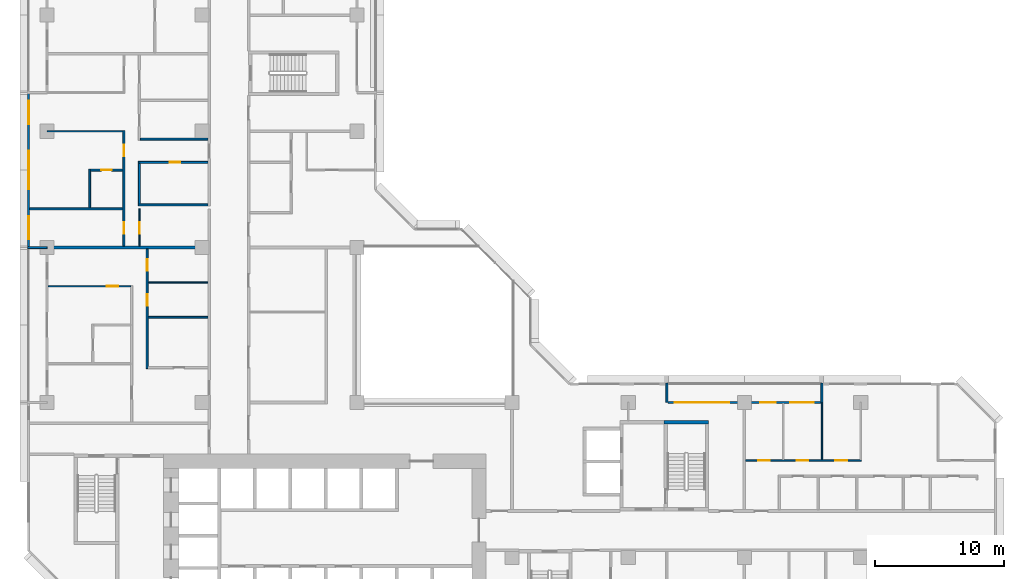
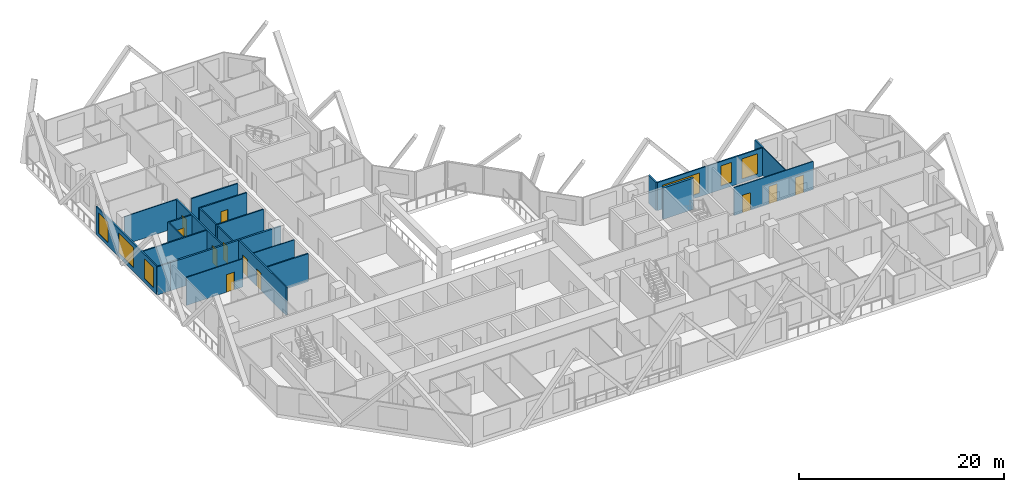
# One storey, part 8 of 15: 23 walls, 11 doors, 6 windows, 17 openings.
"""IFC4 building model written with IfcOpenShell, lengths in metres."""

from ifc_helpers import new_model, si_unit, direction, frame, frame_2d, origin, place, context, subcontext, project, spatial, rectangle, extrude, material, layer, layer_set, type_object, element, fill, save


model = new_model("IFC4")

# Units and contexts
model_context = context("Model", 3, precision=1e-05, world=origin(), true_north=direction((0.0, 1.0)))
body_context = subcontext(model_context, "Body", "Model", "MODEL_VIEW")
ifc_project = project(units=[si_unit("LENGTHUNIT", "METRE"), si_unit("AREAUNIT", "SQUARE_METRE"), si_unit("VOLUMEUNIT", "CUBIC_METRE"), si_unit("PLANEANGLEUNIT", "RADIAN"), si_unit("MASSUNIT", "GRAM", prefix="KILO")], contexts=[model_context])

# Site, building, storey
site_placement = place(None, origin())
site = spatial("IfcSite", under=ifc_project, at=site_placement, CompositionType="ELEMENT")
building_placement = place(site_placement, origin())
building = spatial("IfcBuilding", under=site, at=building_placement, Name="Chenar Terraces", CompositionType="ELEMENT")
storey_placement = place(building_placement, frame((0.0, 0.0, 48.89990234375)))
storey = spatial("IfcBuildingStorey", under=building, at=storey_placement, Name="L09", CompositionType="ELEMENT", Elevation=48.89990234375)

# Wall
ifc_material_1 = material(Name="Concrete C70/85", Category="concrete")
ifc_layer_1 = layer(ifc_material_1, 0.25)
ifc_layer_set_1 = layer_set([ifc_layer_1], Name="Concrete C70/85")
wall_type_1 = type_object("IfcWallType", Name="Core wall 250 Concrete C70/85", PredefinedType="SHEAR", material=ifc_layer_set_1)
wall_1_placement = place(storey_placement, frame((47.77490234375, 22.47509765625, 0.0), z_axis=(0.0, 0.0, 1.0), x_axis=(1.0, 0.0, 0.0)))
element("IfcWall", 1, at=wall_1_placement, inside=storey, type_object=wall_type_1, Name="Core wall ST3_N L09", PredefinedType="SHEAR", context=body_context, shape_type="SweptSolid", body=[
    extrude(rectangle(XDim=3.4501953125, YDim=0.25, at=frame_2d((1.72509765625, 0.0))), origin(), (0.0, 0.0, 1.0), 3.75),
])

# Wall, openings, windows
ifc_material_2 = material(Name="Aluminium framed glazing", Category="aluminium")
ifc_layer_2 = layer(ifc_material_2, 0.14990234375)
ifc_layer_set_2 = layer_set([ifc_layer_2], Name="Aluminium framed glazing")
wall_type_2 = type_object("IfcWallType", Name="Glazed flush facade wall 150", PredefinedType="SOLIDWALL", material=ifc_layer_set_2)
wall_2_placement = place(storey_placement, frame((-1.425048828125, 47.925048828125, 0.0), z_axis=(0.0, 0.0, 1.0), x_axis=(0.0, -1.0, 0.0)))
wall_2 = element("IfcWall", 2, at=wall_2_placement, inside=storey, type_object=wall_type_2, Name="Glazed flush facade wall", PredefinedType="SOLIDWALL", context=body_context, shape_type="SweptSolid", body=[
    extrude(rectangle(XDim=11.85009765625, YDim=0.14990234375, at=frame_2d((5.925048828125, 0.0))), origin(), (0.0, 0.0, 1.0), 3.35009765625),
])
opening_1_placement = place(wall_2_placement, frame((0.5625, 0.0, 0.449951171875)))
opening_1 = element("IfcOpeningElement", 3, at=opening_1_placement, cuts=wall_2, Name="Opening W180x240", PredefinedType="OPENING", context=body_context, shape_type="SweptSolid", body=[
    extrude(rectangle(XDim=1.800048828125, YDim=2.39990234375, at=frame_2d((0.89990234375, 1.199951171875))), frame((0.0, 0.0849609375, 0.0), z_axis=(0.0, -1.0, 0.0), x_axis=(1.0, 0.0, 0.0)), (0.0, 0.0, 1.0), 0.169921875),
])
opening_2_placement = place(wall_2_placement, frame((4.425048828125, 0.0, 0.449951171875)))
opening_2 = element("IfcOpeningElement", 4, at=opening_2_placement, cuts=wall_2, Name="Opening W300x240", PredefinedType="OPENING", context=body_context, shape_type="SweptSolid", body=[
    extrude(rectangle(XDim=3.0, YDim=2.39990234375, at=frame_2d((1.5, 1.199951171875))), frame((0.0, 0.0849609375, 0.0), z_axis=(0.0, -1.0, 0.0), x_axis=(1.0, 0.0, 0.0)), (0.0, 0.0, 1.0), 0.169921875),
])
opening_3_placement = place(wall_2_placement, frame((9.487548828125, 0.0, 0.449951171875)))
opening_3 = element("IfcOpeningElement", 5, at=opening_3_placement, cuts=wall_2, Name="Opening W180x240", PredefinedType="OPENING", context=body_context, shape_type="SweptSolid", body=[
    extrude(rectangle(XDim=1.800048828125, YDim=2.39990234375, at=frame_2d((0.89990234375, 1.199951171875))), frame((0.0, 0.0849609375, 0.0), z_axis=(0.0, -1.0, 0.0), x_axis=(1.0, 0.0, 0.0)), (0.0, 0.0, 1.0), 0.169921875),
])
ifc_material_3 = material(Name="Low emissivity double glazing, aluminium frame", Category="aluminium")
window_type_1 = type_object("IfcWindowType", Name="Fixed light 1800 x 2400", PartitioningType="SINGLE_PANEL", PredefinedType="WINDOW", material=ifc_material_3)
window_1_placement = place(opening_1_placement, origin())
window_1 = element("IfcWindow", 6, at=window_1_placement, inside=storey, type_object=window_type_1, Name="Window", OverallHeight=2.39990234375, OverallWidth=1.800048828125, PartitioningType="SINGLE_PANEL", PredefinedType="WINDOW", context=body_context, shape_type="SweptSolid", body=[
    extrude(rectangle(XDim=1.800048828125, YDim=2.39990234375, at=frame_2d((0.89990234375, 1.199951171875))), frame((0.0, 0.030029296875, 0.0), z_axis=(0.0, -1.0, 0.0), x_axis=(1.0, 0.0, 0.0)), (0.0, 0.0, 1.0), 0.06005859375),
])
fill(opening_1, window_1)
window_2_placement = place(opening_3_placement, origin())
window_2 = element("IfcWindow", 7, at=window_2_placement, inside=storey, type_object=window_type_1, Name="Window", OverallHeight=2.39990234375, OverallWidth=1.800048828125, PartitioningType="SINGLE_PANEL", PredefinedType="WINDOW", context=body_context, shape_type="SweptSolid", body=[
    extrude(rectangle(XDim=1.800048828125, YDim=2.39990234375, at=frame_2d((0.89990234375, 1.199951171875))), frame((0.0, 0.030029296875, 0.0), z_axis=(0.0, -1.0, 0.0), x_axis=(1.0, 0.0, 0.0)), (0.0, 0.0, 1.0), 0.06005859375),
])
fill(opening_3, window_2)
ifc_material_4 = material(Name="Low emissivity double glazing, aluminium frame", Category="aluminium")
window_type_2 = type_object("IfcWindowType", Name="Fixed light 3000 x 2400", PartitioningType="SINGLE_PANEL", PredefinedType="WINDOW", material=ifc_material_4)
window_3_placement = place(opening_2_placement, origin())
window_3 = element("IfcWindow", 8, at=window_3_placement, inside=storey, type_object=window_type_2, Name="Window", OverallHeight=2.39990234375, OverallWidth=3.0, PartitioningType="SINGLE_PANEL", PredefinedType="WINDOW", context=body_context, shape_type="SweptSolid", body=[
    extrude(rectangle(XDim=3.0, YDim=2.39990234375, at=frame_2d((1.5, 1.199951171875))), frame((0.0, 0.030029296875, 0.0), z_axis=(0.0, -1.0, 0.0), x_axis=(1.0, 0.0, 0.0)), (0.0, 0.0, 1.0), 0.06005859375),
])
fill(opening_2, window_3)

ifc_material_5 = material(Name="Aluminium framed glazing", Category="aluminium")
ifc_layer_3 = layer(ifc_material_5, 0.14990234375)
ifc_layer_set_3 = layer_set([ifc_layer_3], Name="Aluminium framed glazing")
wall_type_3 = type_object("IfcWallType", Name="Glazed loggia back wall 150", PredefinedType="SOLIDWALL", material=ifc_layer_set_3)
wall_3_placement = place(storey_placement, frame((59.925048828125, 24.0, 0.0), z_axis=(0.0, 0.0, 1.0), x_axis=(-1.0, 0.0, 0.0)))
wall_3 = element("IfcWall", 9, at=wall_3_placement, inside=storey, type_object=wall_type_3, Name="Glazed loggia back wall", PredefinedType="SOLIDWALL", context=body_context, shape_type="SweptSolid", body=[
    extrude(rectangle(XDim=11.85009765625, YDim=0.14990234375, at=frame_2d((5.925048828125, 0.0))), origin(), (0.0, 0.0, 1.0), 3.35009765625),
])
opening_4_placement = place(wall_3_placement, frame((0.5625, 0.0, 0.449951171875)))
opening_4 = element("IfcOpeningElement", 10, at=opening_4_placement, cuts=wall_3, Name="Opening W180x240", PredefinedType="OPENING", context=body_context, shape_type="SweptSolid", body=[
    extrude(rectangle(XDim=1.800048828125, YDim=2.39990234375, at=frame_2d((0.89990234375, 1.199951171875))), frame((0.0, 0.0849609375, 0.0), z_axis=(0.0, -1.0, 0.0), x_axis=(1.0, 0.0, 0.0)), (0.0, 0.0, 1.0), 0.169921875),
])
opening_5_placement = place(wall_3_placement, frame((3.5, 0.0, 0.449951171875)))
opening_5 = element("IfcOpeningElement", 11, at=opening_5_placement, cuts=wall_3, Name="Opening W120x240", PredefinedType="OPENING", context=body_context, shape_type="SweptSolid", body=[
    extrude(rectangle(XDim=1.199951171875, YDim=2.39990234375, at=frame_2d((0.60009765625, 1.199951171875))), frame((0.0, 0.0849609375, 0.0), z_axis=(0.0, -1.0, 0.0), x_axis=(1.0, 0.0, 0.0)), (0.0, 0.0, 1.0), 0.169921875),
])
opening_6_placement = place(wall_3_placement, frame((7.112548828125, 0.0, 0.449951171875)))
opening_6 = element("IfcOpeningElement", 12, at=opening_6_placement, cuts=wall_3, Name="Opening W420x240", PredefinedType="OPENING", context=body_context, shape_type="SweptSolid", body=[
    extrude(rectangle(XDim=4.199951171875, YDim=2.39990234375, at=frame_2d((2.10009765625, 1.199951171875))), frame((0.0, 0.0849609375, 0.0), z_axis=(0.0, -1.0, 0.0), x_axis=(1.0, 0.0, 0.0)), (0.0, 0.0, 1.0), 0.169921875),
])
ifc_material_6 = material(Name="Low emissivity double glazing, aluminium frame", Category="aluminium")
window_type_3 = type_object("IfcWindowType", Name="Fixed light 1200 x 2400", PartitioningType="SINGLE_PANEL", PredefinedType="WINDOW", material=ifc_material_6)
window_4_placement = place(opening_5_placement, origin())
window_4 = element("IfcWindow", 13, at=window_4_placement, inside=storey, type_object=window_type_3, Name="Window", OverallHeight=2.39990234375, OverallWidth=1.199951171875, PartitioningType="SINGLE_PANEL", PredefinedType="WINDOW", context=body_context, shape_type="SweptSolid", body=[
    extrude(rectangle(XDim=1.199951171875, YDim=2.39990234375, at=frame_2d((0.60009765625, 1.199951171875))), frame((0.0, 0.030029296875, 0.0), z_axis=(0.0, -1.0, 0.0), x_axis=(1.0, 0.0, 0.0)), (0.0, 0.0, 1.0), 0.06005859375),
])
fill(opening_5, window_4)
window_5_placement = place(opening_4_placement, origin())
window_5 = element("IfcWindow", 14, at=window_5_placement, inside=storey, type_object=window_type_1, Name="Window", OverallHeight=2.39990234375, OverallWidth=1.800048828125, PartitioningType="SINGLE_PANEL", PredefinedType="WINDOW", context=body_context, shape_type="SweptSolid", body=[
    extrude(rectangle(XDim=1.800048828125, YDim=2.39990234375, at=frame_2d((0.89990234375, 1.199951171875))), frame((0.0, 0.030029296875, 0.0), z_axis=(0.0, -1.0, 0.0), x_axis=(1.0, 0.0, 0.0)), (0.0, 0.0, 1.0), 0.06005859375),
])
fill(opening_4, window_5)
ifc_material_7 = material(Name="Low emissivity double glazing, aluminium frame", Category="aluminium")
window_type_4 = type_object("IfcWindowType", Name="Fixed light 4200 x 2400", PartitioningType="SINGLE_PANEL", PredefinedType="WINDOW", material=ifc_material_7)
window_6_placement = place(opening_6_placement, origin())
window_6 = element("IfcWindow", 15, at=window_6_placement, inside=storey, type_object=window_type_4, Name="Window", OverallHeight=2.39990234375, OverallWidth=4.199951171875, PartitioningType="SINGLE_PANEL", PredefinedType="WINDOW", context=body_context, shape_type="SweptSolid", body=[
    extrude(rectangle(XDim=4.199951171875, YDim=2.39990234375, at=frame_2d((2.10009765625, 1.199951171875))), frame((0.0, 0.030029296875, 0.0), z_axis=(0.0, -1.0, 0.0), x_axis=(1.0, 0.0, 0.0)), (0.0, 0.0, 1.0), 0.06005859375),
])
fill(opening_6, window_6)

# Wall
ifc_material_8 = material(Name="Gypsum board on steel studs", Category="steel")
ifc_layer_4 = layer(ifc_material_8, 0.10009765625)
ifc_layer_set_4 = layer_set([ifc_layer_4], Name="Gypsum board on steel studs")
wall_type_4 = type_object("IfcWallType", Name="Gypsum partition 100", PredefinedType="PARTITIONING", material=ifc_layer_set_4)
wall_4_placement = place(storey_placement, frame((0.0, 45.0, 0.0), z_axis=(0.0, 0.0, 1.0), x_axis=(1.0, 0.0, 0.0)))
element("IfcWall", 16, at=wall_4_placement, inside=storey, type_object=wall_type_4, Name="Partition L09-005", PredefinedType="PARTITIONING", context=body_context, shape_type="SweptSolid", body=[
    extrude(rectangle(XDim=5.875, YDim=0.10009765625, at=frame_2d((2.9375, 0.0))), origin(), (0.0, 0.0, 1.0), 3.35009765625),
])

# Wall, opening, door
wall_5_placement = place(storey_placement, frame((0.073974609375, 33.0, 0.0), z_axis=(0.0, 0.0, 1.0), x_axis=(1.0, 0.0, 0.0)))
wall_5 = element("IfcWall", 17, at=wall_5_placement, inside=storey, type_object=wall_type_4, Name="Partition L09-008", PredefinedType="PARTITIONING", context=body_context, shape_type="SweptSolid", body=[
    extrude(rectangle(XDim=6.401123046875, YDim=0.10009765625, at=frame_2d((3.20068359375, 0.0))), origin(), (0.0, 0.0, 1.0), 3.35009765625),
])
opening_7_placement = place(wall_5_placement, frame((4.52587890625, 0.0, 0.0)))
opening_7 = element("IfcOpeningElement", 18, at=opening_7_placement, cuts=wall_5, Name="Opening DL09-69", PredefinedType="OPENING", context=body_context, shape_type="SweptSolid", body=[
    extrude(rectangle(XDim=0.89990234375, YDim=2.10009765625, at=frame_2d((0.449951171875, 1.050048828125))), frame((0.0, 0.06005859375, 0.0), z_axis=(0.0, -1.0, 0.0), x_axis=(1.0, 0.0, 0.0)), (0.0, 0.0, 1.0), 0.1201171875),
])
ifc_material_9 = material(Name="Veneered timber door leaf", Category="wood")
door_type_1 = type_object("IfcDoorType", Name="Door 900 x 2100", OperationType="SINGLE_SWING_LEFT", PredefinedType="DOOR", material=ifc_material_9)
door_1_placement = place(opening_7_placement, frame((0.89990234375, 0.0, 0.0), z_axis=(0.0, 0.0, 1.0), x_axis=(-1.0, 0.0, 0.0)))
door_1 = element("IfcDoor", 19, at=door_1_placement, inside=storey, type_object=door_type_1, Name="Door DL09-69", OperationType="SINGLE_SWING_LEFT", OverallHeight=2.10009765625, OverallWidth=0.89990234375, PredefinedType="DOOR", context=body_context, shape_type="SweptSolid", body=[
    extrude(rectangle(XDim=0.89990234375, YDim=2.10009765625, at=frame_2d((0.449951171875, 1.050048828125))), frame((0.0, 0.02490234375, 0.0), z_axis=(0.0, -1.0, 0.0), x_axis=(1.0, 0.0, 0.0)), (0.0, 0.0, 1.0), 0.050048828125),
])
fill(opening_7, door_1)

wall_6_placement = place(storey_placement, frame((7.14990234375, 36.10009765625, 0.0), z_axis=(0.0, 0.0, 1.0), x_axis=(0.0, 1.0, 0.0)))
wall_6 = element("IfcWall", 20, at=wall_6_placement, inside=storey, type_object=wall_type_4, Name="Partition L09-023", PredefinedType="PARTITIONING", context=body_context, shape_type="SweptSolid", body=[
    extrude(rectangle(XDim=2.89990234375, YDim=0.10009765625, at=frame_2d((1.449951171875, 0.0))), origin(), (0.0, 0.0, 1.0), 3.35009765625),
])
opening_8_placement = place(wall_6_placement, frame((0.949951171875, 0.0, 0.0)))
opening_8 = element("IfcOpeningElement", 21, at=opening_8_placement, cuts=wall_6, Name="Opening DL09-40", PredefinedType="OPENING", context=body_context, shape_type="SweptSolid", body=[
    extrude(rectangle(XDim=0.89990234375, YDim=2.10009765625, at=frame_2d((0.449951171875, 1.050048828125))), frame((0.0, 0.06005859375, 0.0), z_axis=(0.0, -1.0, 0.0), x_axis=(1.0, 0.0, 0.0)), (0.0, 0.0, 1.0), 0.1201171875),
])
door_2_placement = place(opening_8_placement, frame((0.89990234375, 0.0, 0.0), z_axis=(0.0, 0.0, 1.0), x_axis=(-1.0, 0.0, 0.0)))
door_2 = element("IfcDoor", 22, at=door_2_placement, inside=storey, type_object=door_type_1, Name="Door DL09-40", OperationType="SINGLE_SWING_RIGHT", OverallHeight=2.10009765625, OverallWidth=0.89990234375, PredefinedType="DOOR", context=body_context, shape_type="SweptSolid", body=[
    extrude(rectangle(XDim=0.89990234375, YDim=2.10009765625, at=frame_2d((0.449951171875, 1.050048828125))), frame((0.0, 0.02490234375, 0.0), z_axis=(0.0, -1.0, 0.0), x_axis=(1.0, 0.0, 0.0)), (0.0, 0.0, 1.0), 0.050048828125),
])
fill(opening_8, door_2)

# Wall
wall_7_placement = place(storey_placement, frame((7.824951171875, 33.300048828125, 0.0), z_axis=(0.0, 0.0, 1.0), x_axis=(1.0, 0.0, 0.0)))
element("IfcWall", 23, at=wall_7_placement, inside=storey, type_object=wall_type_4, Name="Partition L09-032", PredefinedType="PARTITIONING", context=body_context, shape_type="SweptSolid", body=[
    extrude(rectangle(XDim=4.625, YDim=0.10009765625, at=frame_2d((2.3125, 0.0))), origin(), (0.0, 0.0, 1.0), 3.35009765625),
])

# Wall, openings, doors
wall_8_placement = place(storey_placement, frame((54.10009765625, 19.5, 0.0), z_axis=(0.0, 0.0, 1.0), x_axis=(1.0, 0.0, 0.0)))
wall_8 = element("IfcWall", 24, at=wall_8_placement, inside=storey, type_object=wall_type_4, Name="Partition L09-087", PredefinedType="PARTITIONING", context=body_context, shape_type="SweptSolid", body=[
    extrude(rectangle(XDim=8.949951171875, YDim=0.10009765625, at=frame_2d((4.47509765625, 0.0))), origin(), (0.0, 0.0, 1.0), 3.35009765625),
])
opening_9_placement = place(wall_8_placement, frame((0.949951171875, 0.0, 0.0)))
opening_9 = element("IfcOpeningElement", 25, at=opening_9_placement, cuts=wall_8, Name="Opening DL09-5", PredefinedType="OPENING", context=body_context, shape_type="SweptSolid", body=[
    extrude(rectangle(XDim=0.89990234375, YDim=2.10009765625, at=frame_2d((0.449951171875, 1.050048828125))), frame((0.0, 0.06005859375, 0.0), z_axis=(0.0, -1.0, 0.0), x_axis=(1.0, 0.0, 0.0)), (0.0, 0.0, 1.0), 0.1201171875),
])
opening_10_placement = place(wall_8_placement, frame((3.949951171875, 0.0, 0.0)))
opening_10 = element("IfcOpeningElement", 26, at=opening_10_placement, cuts=wall_8, Name="Opening DL09-6", PredefinedType="OPENING", context=body_context, shape_type="SweptSolid", body=[
    extrude(rectangle(XDim=0.89990234375, YDim=2.10009765625, at=frame_2d((0.449951171875, 1.050048828125))), frame((0.0, 0.06005859375, 0.0), z_axis=(0.0, -1.0, 0.0), x_axis=(1.0, 0.0, 0.0)), (0.0, 0.0, 1.0), 0.1201171875),
])
opening_11_placement = place(wall_8_placement, frame((6.949951171875, 0.0, 0.0)))
opening_11 = element("IfcOpeningElement", 27, at=opening_11_placement, cuts=wall_8, Name="Opening DL09-7", PredefinedType="OPENING", context=body_context, shape_type="SweptSolid", body=[
    extrude(rectangle(XDim=0.89990234375, YDim=2.10009765625, at=frame_2d((0.449951171875, 1.050048828125))), frame((0.0, 0.06005859375, 0.0), z_axis=(0.0, -1.0, 0.0), x_axis=(1.0, 0.0, 0.0)), (0.0, 0.0, 1.0), 0.1201171875),
])
door_3_placement = place(opening_9_placement, origin())
door_3 = element("IfcDoor", 28, at=door_3_placement, inside=storey, type_object=door_type_1, Name="Door DL09-5", OperationType="SINGLE_SWING_RIGHT", OverallHeight=2.10009765625, OverallWidth=0.89990234375, PredefinedType="DOOR", context=body_context, shape_type="SweptSolid", body=[
    extrude(rectangle(XDim=0.89990234375, YDim=2.10009765625, at=frame_2d((0.449951171875, 1.050048828125))), frame((0.0, 0.02490234375, 0.0), z_axis=(0.0, -1.0, 0.0), x_axis=(1.0, 0.0, 0.0)), (0.0, 0.0, 1.0), 0.050048828125),
])
fill(opening_9, door_3)
door_4_placement = place(opening_10_placement, origin())
door_4 = element("IfcDoor", 29, at=door_4_placement, inside=storey, type_object=door_type_1, Name="Door DL09-6", OperationType="SINGLE_SWING_RIGHT", OverallHeight=2.10009765625, OverallWidth=0.89990234375, PredefinedType="DOOR", context=body_context, shape_type="SweptSolid", body=[
    extrude(rectangle(XDim=0.89990234375, YDim=2.10009765625, at=frame_2d((0.449951171875, 1.050048828125))), frame((0.0, 0.02490234375, 0.0), z_axis=(0.0, -1.0, 0.0), x_axis=(1.0, 0.0, 0.0)), (0.0, 0.0, 1.0), 0.050048828125),
])
fill(opening_10, door_4)
door_5_placement = place(opening_11_placement, origin())
door_5 = element("IfcDoor", 30, at=door_5_placement, inside=storey, type_object=door_type_1, Name="Door DL09-7", OperationType="SINGLE_SWING_RIGHT", OverallHeight=2.10009765625, OverallWidth=0.89990234375, PredefinedType="DOOR", context=body_context, shape_type="SweptSolid", body=[
    extrude(rectangle(XDim=0.89990234375, YDim=2.10009765625, at=frame_2d((0.449951171875, 1.050048828125))), frame((0.0, 0.02490234375, 0.0), z_axis=(0.0, -1.0, 0.0), x_axis=(1.0, 0.0, 0.0)), (0.0, 0.0, 1.0), 0.050048828125),
])
fill(opening_11, door_5)

# Walls
wall_9_placement = place(storey_placement, frame((60.0, 19.550048828125, 0.0), z_axis=(0.0, 0.0, 1.0), x_axis=(0.0, 1.0, 0.0)))
element("IfcWall", 31, at=wall_9_placement, inside=storey, type_object=wall_type_4, Name="Partition L09-094", PredefinedType="PARTITIONING", context=body_context, shape_type="SweptSolid", body=[
    extrude(rectangle(XDim=4.449951171875, YDim=0.10009765625, at=frame_2d((2.22509765625, 0.0))), origin(), (0.0, 0.0, 1.0), 3.35009765625),
])
ifc_material_10 = material(Name="Terracotta cladding on insulated backing", Category="masonry")
ifc_layer_5 = layer(ifc_material_10, 0.14990234375)
ifc_layer_set_5 = layer_set([ifc_layer_5], Name="Terracotta cladding on insulated backing")
wall_type_5 = type_object("IfcWallType", Name="Loggia return wall 150", PredefinedType="SOLIDWALL", material=ifc_layer_set_5)
for number, where, z_axis, x_axis, name in (
    (32, (60.0, 25.5, 0.0), (0.0, 0.0, 1.0), (0.0, -1.0, 0.0), "Loggia return wall"),
    (33, (48.0, 25.5, 0.0), (0.0, 0.0, 1.0), (0.0, -1.0, 0.0), "Loggia return wall"),
    (34, (-1.5, 36.0, 0.0), (0.0, 0.0, 1.0), (1.0, 0.0, 0.0), "Loggia return wall"),
):
    element("IfcWall", number, at=place(storey_placement, frame(where, z_axis=z_axis, x_axis=x_axis)), inside=storey, type_object=wall_type_5, Name=name, PredefinedType="SOLIDWALL", context=body_context, shape_type="SweptSolid", body=[
        extrude(rectangle(XDim=1.5, YDim=0.14990234375, at=frame_2d((0.75, 0.0))), origin(), (0.0, 0.0, 1.0), 3.35009765625),
    ])
ifc_material_11 = material(Name="Twin gypsum board on steel studs with mineral wool", Category="steel")
ifc_layer_6 = layer(ifc_material_11, 0.199951171875)
ifc_layer_set_6 = layer_set([ifc_layer_6], Name="Twin gypsum board on steel studs with mineral wool")
wall_type_6 = type_object("IfcWallType", Name="Unit demising wall 200", PredefinedType="PARTITIONING", material=ifc_layer_set_6)
wall_10_placement = place(storey_placement, frame((0.0, 36.0, 0.0), z_axis=(0.0, 0.0, 1.0), x_axis=(1.0, 0.0, 0.0)))
element("IfcWall", 35, at=wall_10_placement, inside=storey, type_object=wall_type_6, Name="Partition L09-004", PredefinedType="PARTITIONING", context=body_context, shape_type="SweptSolid", body=[
    extrude(rectangle(XDim=12.449951171875, YDim=0.199951171875, at=frame_2d((6.22509765625, 0.0))), origin(), (0.0, 0.0, 1.0), 3.35009765625),
])
ifc_material_12 = material(Name="Moisture-resistant gypsum board on steel studs", Category="steel")
ifc_layer_7 = layer(ifc_material_12, 0.14990234375)
ifc_layer_set_7 = layer_set([ifc_layer_7], Name="Moisture-resistant gypsum board on steel studs")
wall_type_7 = type_object("IfcWallType", Name="Wet-room partition 150", PredefinedType="PARTITIONING", material=ifc_layer_set_7)
wall_11_placement = place(storey_placement, frame((-1.35107421875, 39.0, 0.0), z_axis=(0.0, 0.0, 1.0), x_axis=(1.0, 0.0, 0.0)))
element("IfcWall", 36, at=wall_11_placement, inside=storey, type_object=wall_type_7, Name="Partition L09-001", PredefinedType="PARTITIONING", context=body_context, shape_type="SweptSolid", body=[
    extrude(rectangle(XDim=7.22607421875, YDim=0.14990234375, at=frame_2d((3.613037109375, 0.0))), origin(), (0.0, 0.0, 1.0), 3.35009765625),
])
wall_12_placement = place(storey_placement, frame((3.300048828125, 39.074951171875, 0.0), z_axis=(0.0, 0.0, 1.0), x_axis=(0.0, 1.0, 0.0)))
element("IfcWall", 37, at=wall_12_placement, inside=storey, type_object=wall_type_7, Name="Partition L09-012", PredefinedType="PARTITIONING", context=body_context, shape_type="SweptSolid", body=[
    extrude(rectangle(XDim=3.0, YDim=0.14990234375, at=frame_2d((1.5, 0.0))), origin(), (0.0, 0.0, 1.0), 3.35009765625),
])

# Wall, opening, door
wall_13_placement = place(storey_placement, frame((3.375, 42.0, 0.0), z_axis=(0.0, 0.0, 1.0), x_axis=(1.0, 0.0, 0.0)))
wall_13 = element("IfcWall", 38, at=wall_13_placement, inside=storey, type_object=wall_type_7, Name="Partition L09-013", PredefinedType="PARTITIONING", context=body_context, shape_type="SweptSolid", body=[
    extrude(rectangle(XDim=2.5, YDim=0.14990234375, at=frame_2d((1.25, 0.0))), origin(), (0.0, 0.0, 1.0), 3.35009765625),
])
opening_12_placement = place(wall_13_placement, frame((0.824951171875, 0.0, 0.0)))
opening_12 = element("IfcOpeningElement", 39, at=opening_12_placement, cuts=wall_13, Name="Opening DL09-36", PredefinedType="OPENING", context=body_context, shape_type="SweptSolid", body=[
    extrude(rectangle(XDim=0.800048828125, YDim=2.10009765625, at=frame_2d((0.39990234375, 1.050048828125))), frame((0.0, 0.0849609375, 0.0), z_axis=(0.0, -1.0, 0.0), x_axis=(1.0, 0.0, 0.0)), (0.0, 0.0, 1.0), 0.169921875),
])
ifc_material_13 = material(Name="Veneered timber door leaf", Category="wood")
door_type_2 = type_object("IfcDoorType", Name="Door 800 x 2100", OperationType="SINGLE_SWING_LEFT", PredefinedType="DOOR", material=ifc_material_13)
door_6_placement = place(opening_12_placement, frame((0.800048828125, 0.0, 0.0), z_axis=(0.0, 0.0, 1.0), x_axis=(-1.0, 0.0, 0.0)))
door_6 = element("IfcDoor", 40, at=door_6_placement, inside=storey, type_object=door_type_2, Name="Door DL09-36", OperationType="SINGLE_SWING_LEFT", OverallHeight=2.10009765625, OverallWidth=0.800048828125, PredefinedType="DOOR", context=body_context, shape_type="SweptSolid", body=[
    extrude(rectangle(XDim=0.800048828125, YDim=2.10009765625, at=frame_2d((0.39990234375, 1.050048828125))), frame((0.0, 0.02490234375, 0.0), z_axis=(0.0, -1.0, 0.0), x_axis=(1.0, 0.0, 0.0)), (0.0, 0.0, 1.0), 0.050048828125),
])
fill(opening_12, door_6)

# Wall, openings, doors
wall_14_placement = place(storey_placement, frame((5.949951171875, 36.10009765625, 0.0), z_axis=(0.0, 0.0, 1.0), x_axis=(0.0, 1.0, 0.0)))
wall_14 = element("IfcWall", 41, at=wall_14_placement, inside=storey, type_object=wall_type_7, Name="Partition L09-018", PredefinedType="PARTITIONING", context=body_context, shape_type="SweptSolid", body=[
    extrude(rectangle(XDim=8.949951171875, YDim=0.14990234375, at=frame_2d((4.47509765625, 0.0))), origin(), (0.0, 0.0, 1.0), 3.35009765625),
])
opening_13_placement = place(wall_14_placement, frame((0.949951171875, 0.0, 0.0)))
opening_13 = element("IfcOpeningElement", 42, at=opening_13_placement, cuts=wall_14, Name="Opening DL09-33", PredefinedType="OPENING", context=body_context, shape_type="SweptSolid", body=[
    extrude(rectangle(XDim=0.89990234375, YDim=2.10009765625, at=frame_2d((0.449951171875, 1.050048828125))), frame((0.0, 0.0849609375, 0.0), z_axis=(0.0, -1.0, 0.0), x_axis=(1.0, 0.0, 0.0)), (0.0, 0.0, 1.0), 0.169921875),
])
opening_14_placement = place(wall_14_placement, frame((6.949951171875, 0.0, 0.0)))
opening_14 = element("IfcOpeningElement", 43, at=opening_14_placement, cuts=wall_14, Name="Opening DL09-35", PredefinedType="OPENING", context=body_context, shape_type="SweptSolid", body=[
    extrude(rectangle(XDim=0.89990234375, YDim=2.10009765625, at=frame_2d((0.449951171875, 1.050048828125))), frame((0.0, 0.0849609375, 0.0), z_axis=(0.0, -1.0, 0.0), x_axis=(1.0, 0.0, 0.0)), (0.0, 0.0, 1.0), 0.169921875),
])
door_7_placement = place(opening_13_placement, origin())
door_7 = element("IfcDoor", 44, at=door_7_placement, inside=storey, type_object=door_type_1, Name="Door DL09-33", OperationType="SINGLE_SWING_RIGHT", OverallHeight=2.10009765625, OverallWidth=0.89990234375, PredefinedType="DOOR", context=body_context, shape_type="SweptSolid", body=[
    extrude(rectangle(XDim=0.89990234375, YDim=2.10009765625, at=frame_2d((0.449951171875, 1.050048828125))), frame((0.0, 0.02490234375, 0.0), z_axis=(0.0, -1.0, 0.0), x_axis=(1.0, 0.0, 0.0)), (0.0, 0.0, 1.0), 0.050048828125),
])
fill(opening_13, door_7)
door_8_placement = place(opening_14_placement, origin())
door_8 = element("IfcDoor", 45, at=door_8_placement, inside=storey, type_object=door_type_1, Name="Door DL09-35", OperationType="SINGLE_SWING_RIGHT", OverallHeight=2.10009765625, OverallWidth=0.89990234375, PredefinedType="DOOR", context=body_context, shape_type="SweptSolid", body=[
    extrude(rectangle(XDim=0.89990234375, YDim=2.10009765625, at=frame_2d((0.449951171875, 1.050048828125))), frame((0.0, 0.02490234375, 0.0), z_axis=(0.0, -1.0, 0.0), x_axis=(1.0, 0.0, 0.0)), (0.0, 0.0, 1.0), 0.050048828125),
])
fill(opening_14, door_8)

# Wall
wall_15_placement = place(storey_placement, frame((7.074951171875, 39.300048828125, 0.0), z_axis=(0.0, 0.0, 1.0), x_axis=(1.0, 0.0, 0.0)))
element("IfcWall", 46, at=wall_15_placement, inside=storey, type_object=wall_type_7, Name="Partition L09-021", PredefinedType="PARTITIONING", context=body_context, shape_type="SweptSolid", body=[
    extrude(rectangle(XDim=5.375, YDim=0.14990234375, at=frame_2d((2.6875, 0.0))), origin(), (0.0, 0.0, 1.0), 3.35009765625),
])

# Wall, opening, door
wall_16_placement = place(storey_placement, frame((7.074951171875, 42.60009765625, 0.0), z_axis=(0.0, 0.0, 1.0), x_axis=(1.0, 0.0, 0.0)))
wall_16 = element("IfcWall", 47, at=wall_16_placement, inside=storey, type_object=wall_type_7, Name="Partition L09-022", PredefinedType="PARTITIONING", context=body_context, shape_type="SweptSolid", body=[
    extrude(rectangle(XDim=5.375, YDim=0.14990234375, at=frame_2d((2.6875, 0.0))), origin(), (0.0, 0.0, 1.0), 3.35009765625),
])
opening_15_placement = place(wall_16_placement, frame((2.425048828125, 0.0, 0.0)))
opening_15 = element("IfcOpeningElement", 48, at=opening_15_placement, cuts=wall_16, Name="Opening DL09-32", PredefinedType="OPENING", context=body_context, shape_type="SweptSolid", body=[
    extrude(rectangle(XDim=0.800048828125, YDim=2.10009765625, at=frame_2d((0.39990234375, 1.050048828125))), frame((0.0, 0.0849609375, 0.0), z_axis=(0.0, -1.0, 0.0), x_axis=(1.0, 0.0, 0.0)), (0.0, 0.0, 1.0), 0.169921875),
])
door_9_placement = place(opening_15_placement, frame((0.800048828125, 0.0, 0.0), z_axis=(0.0, 0.0, 1.0), x_axis=(-1.0, 0.0, 0.0)))
door_9 = element("IfcDoor", 49, at=door_9_placement, inside=storey, type_object=door_type_2, Name="Door DL09-32", OperationType="SINGLE_SWING_LEFT", OverallHeight=2.10009765625, OverallWidth=0.800048828125, PredefinedType="DOOR", context=body_context, shape_type="SweptSolid", body=[
    extrude(rectangle(XDim=0.800048828125, YDim=2.10009765625, at=frame_2d((0.39990234375, 1.050048828125))), frame((0.0, 0.02490234375, 0.0), z_axis=(0.0, -1.0, 0.0), x_axis=(1.0, 0.0, 0.0)), (0.0, 0.0, 1.0), 0.050048828125),
])
fill(opening_15, door_9)

# Walls
wall_17_placement = place(storey_placement, frame((7.14990234375, 39.375, 0.0), z_axis=(0.0, 0.0, 1.0), x_axis=(0.0, 1.0, 0.0)))
element("IfcWall", 50, at=wall_17_placement, inside=storey, type_object=wall_type_7, Name="Partition L09-024", PredefinedType="PARTITIONING", context=body_context, shape_type="SweptSolid", body=[
    extrude(rectangle(XDim=3.14990234375, YDim=0.14990234375, at=frame_2d((1.574951171875, 0.0))), origin(), (0.0, 0.0, 1.0), 3.35009765625),
])
wall_18_placement = place(storey_placement, frame((7.22509765625, 44.39990234375, 0.0), z_axis=(0.0, 0.0, 1.0), x_axis=(1.0, 0.0, 0.0)))
element("IfcWall", 51, at=wall_18_placement, inside=storey, type_object=wall_type_7, Name="Partition L09-027", PredefinedType="PARTITIONING", context=body_context, shape_type="SweptSolid", body=[
    extrude(rectangle(XDim=5.224853515625, YDim=0.14990234375, at=frame_2d((2.6123046875, 0.0))), origin(), (0.0, 0.0, 1.0), 3.35009765625),
])

# Wall, openings, doors
wall_19_placement = place(storey_placement, frame((7.75, 26.625, 0.0), z_axis=(0.0, 0.0, 1.0), x_axis=(0.0, 1.0, 0.0)))
wall_19 = element("IfcWall", 52, at=wall_19_placement, inside=storey, type_object=wall_type_7, Name="Partition L09-029", PredefinedType="PARTITIONING", context=body_context, shape_type="SweptSolid", body=[
    extrude(rectangle(XDim=9.27490234375, YDim=0.14990234375, at=frame_2d((4.637451171875, 0.0))), origin(), (0.0, 0.0, 1.0), 3.35009765625),
])
opening_16_placement = place(wall_19_placement, frame((4.875, 0.0, 0.0)))
opening_16 = element("IfcOpeningElement", 53, at=opening_16_placement, cuts=wall_19, Name="Opening DL09-71", PredefinedType="OPENING", context=body_context, shape_type="SweptSolid", body=[
    extrude(rectangle(XDim=0.89990234375, YDim=2.10009765625, at=frame_2d((0.449951171875, 1.050048828125))), frame((0.0, 0.0849609375, 0.0), z_axis=(0.0, -1.0, 0.0), x_axis=(1.0, 0.0, 0.0)), (0.0, 0.0, 1.0), 0.169921875),
])
opening_17_placement = place(wall_19_placement, frame((7.574951171875, 0.0, 0.0)))
opening_17 = element("IfcOpeningElement", 54, at=opening_17_placement, cuts=wall_19, Name="Opening DL09-73", PredefinedType="OPENING", context=body_context, shape_type="SweptSolid", body=[
    extrude(rectangle(XDim=0.89990234375, YDim=2.10009765625, at=frame_2d((0.449951171875, 1.050048828125))), frame((0.0, 0.0849609375, 0.0), z_axis=(0.0, -1.0, 0.0), x_axis=(1.0, 0.0, 0.0)), (0.0, 0.0, 1.0), 0.169921875),
])
door_10_placement = place(opening_16_placement, frame((0.89990234375, 0.0, 0.0), z_axis=(0.0, 0.0, 1.0), x_axis=(-1.0, 0.0, 0.0)))
door_10 = element("IfcDoor", 55, at=door_10_placement, inside=storey, type_object=door_type_1, Name="Door DL09-71", OperationType="SINGLE_SWING_RIGHT", OverallHeight=2.10009765625, OverallWidth=0.89990234375, PredefinedType="DOOR", context=body_context, shape_type="SweptSolid", body=[
    extrude(rectangle(XDim=0.89990234375, YDim=2.10009765625, at=frame_2d((0.449951171875, 1.050048828125))), frame((0.0, 0.02490234375, 0.0), z_axis=(0.0, -1.0, 0.0), x_axis=(1.0, 0.0, 0.0)), (0.0, 0.0, 1.0), 0.050048828125),
])
fill(opening_16, door_10)
door_11_placement = place(opening_17_placement, frame((0.89990234375, 0.0, 0.0), z_axis=(0.0, 0.0, 1.0), x_axis=(-1.0, 0.0, 0.0)))
door_11 = element("IfcDoor", 56, at=door_11_placement, inside=storey, type_object=door_type_1, Name="Door DL09-73", OperationType="SINGLE_SWING_LEFT", OverallHeight=2.10009765625, OverallWidth=0.89990234375, PredefinedType="DOOR", context=body_context, shape_type="SweptSolid", body=[
    extrude(rectangle(XDim=0.89990234375, YDim=2.10009765625, at=frame_2d((0.449951171875, 1.050048828125))), frame((0.0, 0.02490234375, 0.0), z_axis=(0.0, -1.0, 0.0), x_axis=(1.0, 0.0, 0.0)), (0.0, 0.0, 1.0), 0.050048828125),
])
fill(opening_17, door_11)

# Wall
wall_20_placement = place(storey_placement, frame((7.824951171875, 30.60009765625, 0.0), z_axis=(0.0, 0.0, 1.0), x_axis=(1.0, 0.0, 0.0)))
element("IfcWall", 57, at=wall_20_placement, inside=storey, type_object=wall_type_7, Name="Partition L09-031", PredefinedType="PARTITIONING", context=body_context, shape_type="SweptSolid", body=[
    extrude(rectangle(XDim=4.625, YDim=0.14990234375, at=frame_2d((2.3125, 0.0))), origin(), (0.0, 0.0, 1.0), 3.35009765625),
])

save(model, "model.ifc")
